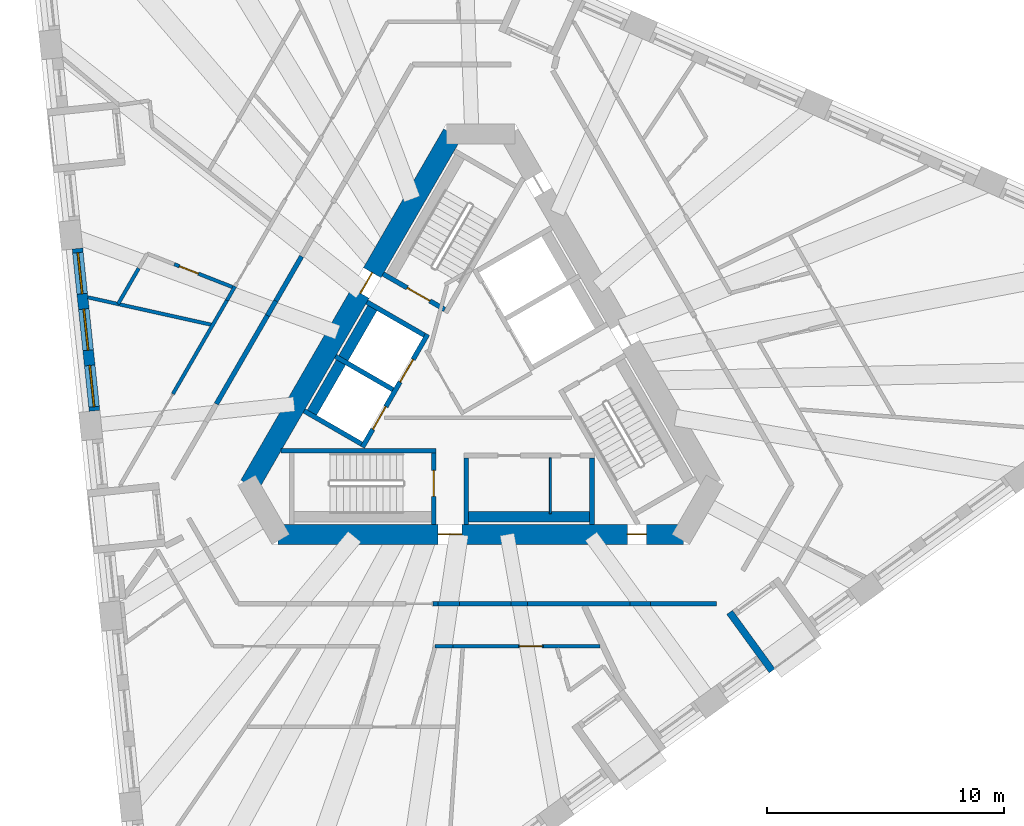
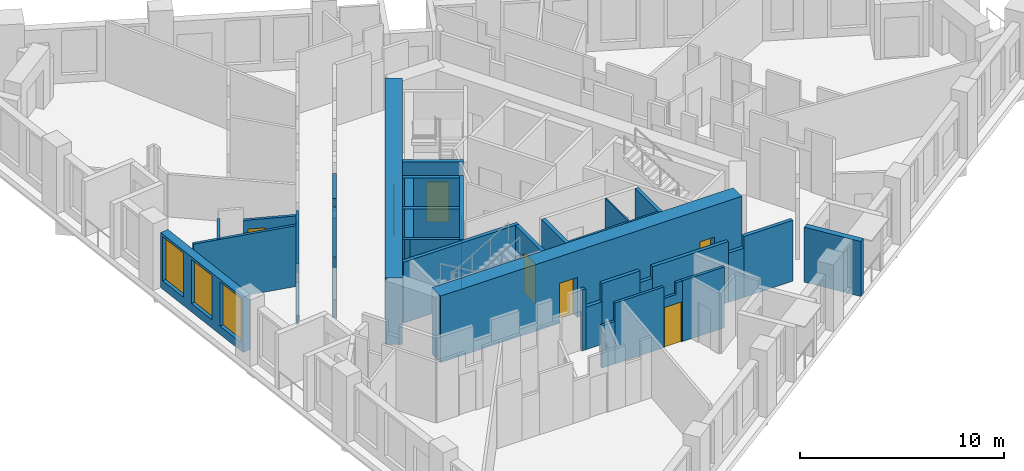
# One storey, part 4 of 14: 35 walls, 9 doors, 3 windows, 12 openings.
"""IFC4 building model written with IfcOpenShell, lengths in metres."""

from ifc_helpers import new_model, si_unit, direction, frame, frame_2d, origin, place, context, subcontext, project, spatial, polyline, rectangle, outline, extrude, material, layer, layer_set, type_object, element, fill, save


model = new_model("IFC4")

# Units and contexts
model_context = context("Model", 3, precision=1e-05, world=origin(), true_north=direction((0.0, 1.0)))
body_context = subcontext(model_context, "Body", "Model", "MODEL_VIEW")
ifc_project = project(units=[si_unit("LENGTHUNIT", "METRE"), si_unit("AREAUNIT", "SQUARE_METRE"), si_unit("VOLUMEUNIT", "CUBIC_METRE"), si_unit("PLANEANGLEUNIT", "RADIAN"), si_unit("MASSUNIT", "GRAM", prefix="KILO")], contexts=[model_context])

# Site, building, storey
site_placement = place(None, origin())
site = spatial("IfcSite", under=ifc_project, at=site_placement, CompositionType="ELEMENT")
building_placement = place(site_placement, origin())
building = spatial("IfcBuilding", under=site, at=building_placement, Name="Tramontana Tower", CompositionType="ELEMENT")
storey_placement = place(building_placement, frame((0.0, 0.0, 182.800048828125)))
storey = spatial("IfcBuildingStorey", under=building, at=storey_placement, Name="L42", CompositionType="ELEMENT", Elevation=182.800048828125)

# Wall, opening, door
ifc_material_1 = material(Name="Concrete 70 MPa", Category="concrete")
ifc_layer_1 = layer(ifc_material_1, 0.85009765625)
ifc_layer_set_1 = layer_set([ifc_layer_1], Name="Core wall 850 70 MPa")
wall_type_1 = type_object("IfcWallType", Name="Core wall 850 70 MPa", PredefinedType="SHEAR", material=ifc_layer_set_1)
wall_1_placement = place(storey_placement, frame((-1.197998046875, 10.574951171875, 0.0), z_axis=(0.0, 0.0, 1.0), x_axis=(-0.499995289315, -0.866028123483, 0.0)))
wall_1 = element("IfcWall", 1, at=wall_1_placement, inside=storey, type_object=wall_type_1, Name="Core wall C1 L42", PredefinedType="SHEAR", context=body_context, shape_type="SweptSolid", body=[
    extrude(rectangle(XDim=17.118408203125, YDim=0.85009765625, at=frame_2d((8.55908203125, 0.0))), origin(), (0.0, 0.0, 1.0), 4.0),
])
opening_1_placement = place(wall_1_placement, frame((6.76416015625, 0.0, 0.0)))
opening_1 = element("IfcOpeningElement", 2, at=opening_1_placement, cuts=wall_1, Name="Opening RG1", PredefinedType="OPENING", context=body_context, shape_type="SweptSolid", body=[
    extrude(rectangle(XDim=1.0, YDim=2.39990234375, at=frame_2d((0.5, 1.199951171875))), frame((0.0, 0.43505859375, 0.0), z_axis=(0.0, -1.0, 0.0), x_axis=(1.0, 0.0, 0.0)), (0.0, 0.0, 1.0), 0.8701171875),
])
ifc_material_2 = material(Name="Painted steel", Category="steel")
door_type_1 = type_object("IfcDoorType", Name="RING DOOR 1000", OperationType="SINGLE_SWING_LEFT", PredefinedType="DOOR", material=ifc_material_2)
door_1_placement = place(opening_1_placement, origin())
door_1 = element("IfcDoor", 3, at=door_1_placement, inside=storey, type_object=door_type_1, Name="Door RG1", OperationType="SINGLE_SWING_RIGHT", OverallHeight=2.39990234375, OverallWidth=1.0, PredefinedType="DOOR", context=body_context, shape_type="SweptSolid", body=[
    extrude(rectangle(XDim=1.0, YDim=2.39990234375, at=frame_2d((0.5, 1.199951171875))), frame((0.0, 0.02490234375, 0.0), z_axis=(0.0, -1.0, 0.0), x_axis=(1.0, 0.0, 0.0)), (0.0, 0.0, 1.0), 0.050048828125),
])
fill(opening_1, door_1)

# Wall, openings, doors
wall_2_placement = place(storey_placement, frame((-8.55908203125, -6.324951171875, 0.0), z_axis=(0.0, 0.0, 1.0), x_axis=(1.0, 0.0, 0.0)))
wall_2 = element("IfcWall", 4, at=wall_2_placement, inside=storey, type_object=wall_type_1, Name="Core wall C3 L42", PredefinedType="SHEAR", context=body_context, shape_type="SweptSolid", body=[
    extrude(rectangle(XDim=17.1181640625, YDim=0.85009765625, at=frame_2d((8.55908203125, 0.0))), origin(), (0.0, 0.0, 1.0), 4.0),
])
opening_2_placement = place(wall_2_placement, frame((6.76416015625, 0.0, 0.0)))
opening_2 = element("IfcOpeningElement", 5, at=opening_2_placement, cuts=wall_2, Name="Opening RG2", PredefinedType="OPENING", context=body_context, shape_type="SweptSolid", body=[
    extrude(rectangle(XDim=1.0, YDim=2.39990234375, at=frame_2d((0.5, 1.199951171875))), frame((0.0, 0.43505859375, 0.0), z_axis=(0.0, -1.0, 0.0), x_axis=(1.0, 0.0, 0.0)), (0.0, 0.0, 1.0), 0.8701171875),
])
opening_3_placement = place(wall_2_placement, frame((14.7421875, 0.0, 0.0)))
opening_3 = element("IfcOpeningElement", 6, at=opening_3_placement, cuts=wall_2, Name="Opening PD2", PredefinedType="OPENING", context=body_context, shape_type="SweptSolid", body=[
    extrude(rectangle(XDim=0.800048828125, YDim=2.10009765625, at=frame_2d((0.39990234375, 1.050048828125))), frame((0.0, 0.43505859375, 0.0), z_axis=(0.0, -1.0, 0.0), x_axis=(1.0, 0.0, 0.0)), (0.0, 0.0, 1.0), 0.8701171875),
])
ifc_material_3 = material(Name="Painted steel", Category="steel")
door_type_2 = type_object("IfcDoorType", Name="CUPBOARD DOOR 800", OperationType="SINGLE_SWING_LEFT", PredefinedType="DOOR", material=ifc_material_3)
door_2_placement = place(opening_3_placement, origin())
door_2 = element("IfcDoor", 7, at=door_2_placement, inside=storey, type_object=door_type_2, Name="Door PD2", OperationType="SINGLE_SWING_LEFT", OverallHeight=2.10009765625, OverallWidth=0.800048828125, PredefinedType="DOOR", context=body_context, shape_type="SweptSolid", body=[
    extrude(rectangle(XDim=0.800048828125, YDim=2.10009765625, at=frame_2d((0.39990234375, 1.050048828125))), frame((0.0, 0.02490234375, 0.0), z_axis=(0.0, -1.0, 0.0), x_axis=(1.0, 0.0, 0.0)), (0.0, 0.0, 1.0), 0.050048828125),
])
fill(opening_3, door_2)
door_3_placement = place(opening_2_placement, origin())
door_3 = element("IfcDoor", 8, at=door_3_placement, inside=storey, type_object=door_type_1, Name="Door RG2", OperationType="SINGLE_SWING_LEFT", OverallHeight=2.39990234375, OverallWidth=1.0, PredefinedType="DOOR", context=body_context, shape_type="SweptSolid", body=[
    extrude(rectangle(XDim=1.0, YDim=2.39990234375, at=frame_2d((0.5, 1.199951171875))), frame((0.0, 0.02490234375, 0.0), z_axis=(0.0, -1.0, 0.0), x_axis=(1.0, 0.0, 0.0)), (0.0, 0.0, 1.0), 0.050048828125),
])
fill(opening_2, door_3)

# Walls
ifc_material_4 = material(Name="Blockwork", Category="masonry")
ifc_layer_2 = layer(ifc_material_4, 0.199951171875)
ifc_layer_set_2 = layer_set([ifc_layer_2], Name="ENTRY WALL 200")
wall_type_2 = type_object("IfcWallType", Name="ENTRY WALL 200", PredefinedType="SOLIDWALL", material=ifc_layer_set_2)
wall_3_placement = place(storey_placement, frame((9.95166015625, -9.25, 0.0), z_axis=(0.0, 0.0, 1.0), x_axis=(-1.0, 0.0, 0.0)))
element("IfcWall", 9, at=wall_3_placement, inside=storey, type_object=wall_type_2, Name="Wall v41-ew2-0", PredefinedType="SOLIDWALL", context=body_context, shape_type="SweptSolid", body=[
    extrude(rectangle(XDim=2.798583984375, YDim=0.199951171875, at=frame_2d((1.3994140625, 0.0))), origin(), (0.0, 0.0, 1.0), 3.64990234375),
])
wall_4_placement = place(storey_placement, frame((7.153076171875, -9.25, 0.0), z_axis=(0.0, 0.0, 1.0), x_axis=(-1.0, 0.0, 0.0)))
element("IfcWall", 10, at=wall_4_placement, inside=storey, type_object=wall_type_2, Name="Wall v41-ew2-1", PredefinedType="SOLIDWALL", context=body_context, shape_type="SweptSolid", body=[
    extrude(rectangle(XDim=0.865234375, YDim=0.199951171875, at=frame_2d((0.4326171875, 0.0))), origin(), (0.0, 0.0, 1.0), 2.949951171875),
])
wall_5_placement = place(storey_placement, frame((6.287841796875, -9.25, 0.0), z_axis=(0.0, 0.0, 1.0), x_axis=(-1.0, 0.0, 0.0)))
element("IfcWall", 11, at=wall_5_placement, inside=storey, type_object=wall_type_2, Name="Wall v41-ew2-2", PredefinedType="SOLIDWALL", context=body_context, shape_type="SweptSolid", body=[
    extrude(rectangle(XDim=4.306640625, YDim=0.199951171875, at=frame_2d((2.1533203125, 0.0))), origin(), (0.0, 0.0, 1.0), 3.64990234375),
])
wall_6_placement = place(storey_placement, frame((1.981201171875, -9.25, 0.0), z_axis=(0.0, 0.0, 1.0), x_axis=(-1.0, 0.0, 0.0)))
element("IfcWall", 12, at=wall_6_placement, inside=storey, type_object=wall_type_2, Name="Wall v41-ew2-3", PredefinedType="SOLIDWALL", context=body_context, shape_type="SweptSolid", body=[
    extrude(rectangle(XDim=0.710693359375, YDim=0.199951171875, at=frame_2d((0.35546875, 0.0))), origin(), (0.0, 0.0, 1.0), 2.949951171875),
])
wall_7_placement = place(storey_placement, frame((1.2705078125, -9.25, 0.0), z_axis=(0.0, 0.0, 1.0), x_axis=(-1.0, 0.0, 0.0)))
element("IfcWall", 13, at=wall_7_placement, inside=storey, type_object=wall_type_2, Name="Wall v41-ew2-4", PredefinedType="SOLIDWALL", context=body_context, shape_type="SweptSolid", body=[
    extrude(rectangle(XDim=2.169677734375, YDim=0.199951171875, at=frame_2d((1.0849609375, 0.0))), origin(), (0.0, 0.0, 1.0), 3.64990234375),
])
wall_8_placement = place(storey_placement, frame((-0.899169921875, -9.25, 0.0), z_axis=(0.0, 0.0, 1.0), x_axis=(-1.0, 0.0, 0.0)))
element("IfcWall", 14, at=wall_8_placement, inside=storey, type_object=wall_type_2, Name="Wall v41-ew2-5", PredefinedType="SOLIDWALL", context=body_context, shape_type="SweptSolid", body=[
    extrude(rectangle(XDim=0.909423828125, YDim=0.199951171875, at=frame_2d((0.45458984375, 0.0))), origin(), (0.0, 0.0, 1.0), 2.550048828125),
])
wall_9_placement = place(storey_placement, frame((-1.80859375, -9.25, 0.0), z_axis=(0.0, 0.0, 1.0), x_axis=(-1.0, 0.0, 0.0)))
element("IfcWall", 15, at=wall_9_placement, inside=storey, type_object=wall_type_2, Name="Wall v41-ew2-6", PredefinedType="SOLIDWALL", context=body_context, shape_type="SweptSolid", body=[
    extrude(rectangle(XDim=0.200439453125, YDim=0.199951171875, at=frame_2d((0.10009765625, 0.0))), origin(), (0.0, 0.0, 1.0), 3.64990234375),
])
wall_10_placement = place(storey_placement, frame((-11.15478515625, -0.820556640625, 0.0), z_axis=(0.0, 0.0, 1.0), x_axis=(0.499992344383, 0.866029823712, 0.0)))
element("IfcWall", 16, at=wall_10_placement, inside=storey, type_object=wall_type_2, Name="Wall v41-ew4-2", PredefinedType="SOLIDWALL", context=body_context, shape_type="SweptSolid", body=[
    extrude(rectangle(XDim=4.306640625, YDim=0.199951171875, at=frame_2d((2.1533203125, 0.0))), origin(), (0.0, 0.0, 1.0), 3.64990234375),
])
wall_11_placement = place(storey_placement, frame((-9.00146484375, 2.9091796875, 0.0), z_axis=(0.0, 0.0, 1.0), x_axis=(0.50012879774, 0.865951029603, 0.0)))
element("IfcWall", 17, at=wall_11_placement, inside=storey, type_object=wall_type_2, Name="Wall v41-ew4-3", PredefinedType="SOLIDWALL", context=body_context, shape_type="SweptSolid", body=[
    extrude(rectangle(XDim=0.710693359375, YDim=0.199951171875, at=frame_2d((0.35546875, 0.0))), origin(), (0.0, 0.0, 1.0), 2.949951171875),
])
wall_12_placement = place(storey_placement, frame((-8.64599609375, 3.524658203125, 0.0), z_axis=(0.0, 0.0, 1.0), x_axis=(0.499975720793, 0.866039420937, 0.0)))
element("IfcWall", 18, at=wall_12_placement, inside=storey, type_object=wall_type_2, Name="Wall v41-ew4-4", PredefinedType="SOLIDWALL", context=body_context, shape_type="SweptSolid", body=[
    extrude(rectangle(XDim=2.16943359375, YDim=0.199951171875, at=frame_2d((1.084716796875, 0.0))), origin(), (0.0, 0.0, 1.0), 3.64990234375),
])

# Wall, openings, windows
ifc_material_5 = material(Name="Precast concrete 60 MPa", Category="concrete")
ifc_layer_3 = layer(ifc_material_5, 0.449951171875)
ifc_layer_set_3 = layer_set([ifc_layer_3], Name="Precast concrete 60 MPa, 450 mm")
wall_type_3 = type_object("IfcWallType", Name="EW1 Stone-faced precast wall 450", PredefinedType="SOLIDWALL", material=ifc_layer_set_3)
wall_13_placement = place(storey_placement, frame((-17.017822265625, 5.735595703125, 0.0), z_axis=(0.0, 0.0, 1.0), x_axis=(0.104531531326, -0.994521572898, 0.0)))
wall_13 = element("IfcWall", 19, at=wall_13_placement, inside=storey, type_object=wall_type_3, Name="External wall L42 face 0 bay 3", PredefinedType="SOLIDWALL", context=body_context, shape_type="SweptSolid", body=[
    extrude(rectangle(XDim=6.8828125, YDim=0.449951171875, at=frame_2d((3.44140625, 0.0))), origin(), (0.0, 0.0, 1.0), 3.300048828125),
])
opening_4_placement = place(wall_13_placement, frame((0.172119140625, 0.0, 0.5)))
opening_4 = element("IfcOpeningElement", 20, at=opening_4_placement, cuts=wall_13, Name="Opening M2", PredefinedType="OPENING", context=body_context, shape_type="SweptSolid", body=[
    extrude(rectangle(XDim=1.75, YDim=2.64990234375, at=frame_2d((0.875, 1.324951171875))), frame((0.0, 0.23486328125, 0.0), z_axis=(0.0, -1.0, 0.0), x_axis=(1.0, 0.0, 0.0)), (0.0, 0.0, 1.0), 0.469970703125),
])
opening_5_placement = place(wall_13_placement, frame((2.56640625, 0.0, 0.5)))
opening_5 = element("IfcOpeningElement", 21, at=opening_5_placement, cuts=wall_13, Name="Opening M2", PredefinedType="OPENING", context=body_context, shape_type="SweptSolid", body=[
    extrude(rectangle(XDim=1.75, YDim=2.64990234375, at=frame_2d((0.875, 1.324951171875))), frame((0.0, 0.23486328125, 0.0), z_axis=(0.0, -1.0, 0.0), x_axis=(1.0, 0.0, 0.0)), (0.0, 0.0, 1.0), 0.469970703125),
])
opening_6_placement = place(wall_13_placement, frame((4.960693359375, 0.0, 0.5)))
opening_6 = element("IfcOpeningElement", 22, at=opening_6_placement, cuts=wall_13, Name="Opening M2", PredefinedType="OPENING", context=body_context, shape_type="SweptSolid", body=[
    extrude(rectangle(XDim=1.75, YDim=2.64990234375, at=frame_2d((0.875, 1.324951171875))), frame((0.0, 0.23486328125, 0.0), z_axis=(0.0, -1.0, 0.0), x_axis=(1.0, 0.0, 0.0)), (0.0, 0.0, 1.0), 0.469970703125),
])
ifc_material_6 = material(Name="Aluminum frame, double glazing unit", Category="aluminium")
window_type = type_object("IfcWindowType", Name="M2 Window 1.75 x 2.65", PartitioningType="SINGLE_PANEL", PredefinedType="WINDOW", material=ifc_material_6)
window_1_placement = place(opening_4_placement, origin())
window_1 = element("IfcWindow", 23, at=window_1_placement, inside=storey, type_object=window_type, Name="Window M2 L42 face 0 module 7", OverallHeight=2.64990234375, OverallWidth=1.75, PartitioningType="SINGLE_PANEL", PredefinedType="WINDOW", context=body_context, shape_type="SweptSolid", body=[
    extrude(rectangle(XDim=1.75, YDim=2.64990234375, at=frame_2d((0.875, 1.324951171875))), frame((0.0, 0.030029296875, 0.0), z_axis=(0.0, -1.0, 0.0), x_axis=(1.0, 0.0, 0.0)), (0.0, 0.0, 1.0), 0.06005859375),
])
fill(opening_4, window_1)
window_2_placement = place(opening_5_placement, origin())
window_2 = element("IfcWindow", 24, at=window_2_placement, inside=storey, type_object=window_type, Name="Window M2 L42 face 0 module 8", OverallHeight=2.64990234375, OverallWidth=1.75, PartitioningType="SINGLE_PANEL", PredefinedType="WINDOW", context=body_context, shape_type="SweptSolid", body=[
    extrude(rectangle(XDim=1.75, YDim=2.64990234375, at=frame_2d((0.875, 1.324951171875))), frame((0.0, 0.030029296875, 0.0), z_axis=(0.0, -1.0, 0.0), x_axis=(1.0, 0.0, 0.0)), (0.0, 0.0, 1.0), 0.06005859375),
])
fill(opening_5, window_2)
window_3_placement = place(opening_6_placement, origin())
window_3 = element("IfcWindow", 25, at=window_3_placement, inside=storey, type_object=window_type, Name="Window M2 L42 face 0 module 9", OverallHeight=2.64990234375, OverallWidth=1.75, PartitioningType="SINGLE_PANEL", PredefinedType="WINDOW", context=body_context, shape_type="SweptSolid", body=[
    extrude(rectangle(XDim=1.75, YDim=2.64990234375, at=frame_2d((0.875, 1.324951171875))), frame((0.0, 0.030029296875, 0.0), z_axis=(0.0, -1.0, 0.0), x_axis=(1.0, 0.0, 0.0)), (0.0, 0.0, 1.0), 0.06005859375),
])
fill(opening_6, window_3)

# Walls
ifc_material_7 = material(Name="Precast concrete 60 MPa", Category="concrete")
ifc_layer_4 = layer(ifc_material_7, 0.300048828125)
ifc_layer_set_4 = layer_set([ifc_layer_4], Name="LW1 Stone-faced loggia wall 300")
wall_type_4 = type_object("IfcWallType", Name="LW1 Stone-faced loggia wall 300", PredefinedType="SOLIDWALL", material=ifc_layer_set_4)
wall_14_placement = place(storey_placement, frame((12.29345703125, -12.08154296875, 0.0), z_axis=(0.0, 0.0, 1.0), x_axis=(-0.587776590479, 0.80902328748, 0.0)))
element("IfcWall", 26, at=wall_14_placement, inside=storey, type_object=wall_type_4, Name="Loggia return L42 G4S1.10a", PredefinedType="SOLIDWALL", context=body_context, shape_type="SweptSolid", body=[
    extrude(rectangle(XDim=3.050048828125, YDim=0.300048828125, at=frame_2d((1.52490234375, 0.0))), origin(), (0.0, 0.0, 1.0), 3.300048828125),
])
ifc_material_8 = material(Name="Gypsum board partition")
ifc_layer_5 = layer(ifc_material_8, 0.14990234375)
ifc_layer_set_5 = layer_set([ifc_layer_5], Name="PARTITION 150")
wall_type_5 = type_object("IfcWallType", Name="PARTITION 150", PredefinedType="PARTITIONING", material=ifc_layer_set_5)
wall_15_placement = place(storey_placement, frame((-15.3017578125, 3.396484375, 0.0), z_axis=(0.0, 0.0, 1.0), x_axis=(0.499989842173, 0.866031268329, 0.0)))
element("IfcWall", 27, at=wall_15_placement, inside=storey, type_object=wall_type_5, Name="Wall v41-pw00-0", PredefinedType="PARTITIONING", context=body_context, shape_type="SweptSolid", body=[
    extrude(rectangle(XDim=1.73876953125, YDim=0.14990234375, at=frame_2d((0.869384765625, 0.0))), origin(), (0.0, 0.0, 1.0), 3.64990234375),
])
wall_16_placement = place(storey_placement, frame((-12.98876953125, -0.3974609375, 0.0), z_axis=(0.0, 0.0, 1.0), x_axis=(0.499962245075, 0.866047200503, 0.0)))
element("IfcWall", 28, at=wall_16_placement, inside=storey, type_object=wall_type_5, Name="Wall v41-pw02-2", PredefinedType="PARTITIONING", context=body_context, shape_type="SweptSolid", body=[
    extrude(rectangle(XDim=4.553466796875, YDim=0.14990234375, at=frame_2d((2.27685546875, 0.0))), origin(), (0.0, 0.0, 1.0), 3.64990234375),
])
wall_17_placement = place(storey_placement, frame((-10.712158203125, 3.546142578125, 0.0), z_axis=(0.0, 0.0, 1.0), x_axis=(0.50012328804, 0.865954211699, 0.0)))
element("IfcWall", 29, at=wall_17_placement, inside=storey, type_object=wall_type_5, Name="Wall v41-pw02-3", PredefinedType="PARTITIONING", context=body_context, shape_type="SweptSolid", body=[
    extrude(rectangle(XDim=0.685302734375, YDim=0.14990234375, at=frame_2d((0.3427734375, 0.0))), origin(), (0.0, 0.0, 1.0), 2.949951171875),
])

# Wall, opening, door
wall_18_placement = place(storey_placement, frame((-10.4736328125, 4.109375, 0.0), z_axis=(0.0, 0.0, 1.0), x_axis=(-0.930912162403, 0.365243132571, 0.0)))
wall_18 = element("IfcWall", 30, at=wall_18_placement, inside=storey, type_object=wall_type_5, Name="Wall v41-pw08-1", PredefinedType="PARTITIONING", context=body_context, shape_type="SweptSolid", body=[
    extrude(rectangle(XDim=2.6396484375, YDim=0.14990234375, at=frame_2d((1.31982421875, 0.0))), origin(), (0.0, 0.0, 1.0), 2.949951171875),
])
opening_7_placement = place(wall_18_placement, frame((1.55224609375, 0.0, 0.0)))
opening_7 = element("IfcOpeningElement", 31, at=opening_7_placement, cuts=wall_18, Name="Opening B4B-07", PredefinedType="OPENING", context=body_context, shape_type="SweptSolid", body=[
    extrude(rectangle(XDim=0.85009765625, YDim=2.39990234375, at=frame_2d((0.425048828125, 1.199951171875))), frame((0.0, 0.0849609375, 0.0), z_axis=(0.0, -1.0, 0.0), x_axis=(1.0, 0.0, 0.0)), (0.0, 0.0, 1.0), 0.169921875),
])
ifc_material_9 = material(Name="Painted timber", Category="wood")
door_type_3 = type_object("IfcDoorType", Name="DOOR BATH 850", OperationType="SINGLE_SWING_LEFT", PredefinedType="DOOR", material=ifc_material_9)
door_4_placement = place(opening_7_placement, origin())
door_4 = element("IfcDoor", 32, at=door_4_placement, inside=storey, type_object=door_type_3, Name="Door B4B-07", OperationType="SINGLE_SWING_LEFT", OverallHeight=2.39990234375, OverallWidth=0.85009765625, PredefinedType="DOOR", context=body_context, shape_type="SweptSolid", body=[
    extrude(rectangle(XDim=0.85009765625, YDim=2.39990234375, at=frame_2d((0.425048828125, 1.199951171875))), frame((0.0, 0.02490234375, 0.0), z_axis=(0.0, -1.0, 0.0), x_axis=(1.0, 0.0, 0.0)), (0.0, 0.0, 1.0), 0.050048828125),
])
fill(opening_7, door_4)

# Walls
wall_19_placement = place(storey_placement, frame((-11.3125, 2.509033203125, 0.0), z_axis=(0.0, 0.0, 1.0), x_axis=(-0.976273304497, 0.216541993449, 0.0)))
element("IfcWall", 33, at=wall_19_placement, inside=storey, type_object=wall_type_5, Name="Wall v41-pw16", PredefinedType="PARTITIONING", context=body_context, shape_type="SweptSolid", body=[
    extrude(rectangle(XDim=5.390380859375, YDim=0.14990234375, at=frame_2d((2.6953125, 0.0))), origin(), (0.0, 0.0, 1.0), 3.64990234375),
])
wall_20_placement = place(storey_placement, frame((5.03076171875, -11.050048828125, 0.0), z_axis=(0.0, 0.0, 1.0), x_axis=(-1.0, 0.0, 0.0)))
element("IfcWall", 34, at=wall_20_placement, inside=storey, type_object=wall_type_5, Name="Wall v41-pw35-0", PredefinedType="PARTITIONING", context=body_context, shape_type="SweptSolid", body=[
    extrude(rectangle(XDim=2.390625, YDim=0.14990234375, at=frame_2d((1.1953125, 0.0))), origin(), (0.0, 0.0, 1.0), 3.64990234375),
])

# Wall, opening, door
wall_21_placement = place(storey_placement, frame((2.64013671875, -11.050048828125, 0.0), z_axis=(0.0, 0.0, 1.0), x_axis=(-1.0, 0.0, 0.0)))
wall_21 = element("IfcWall", 35, at=wall_21_placement, inside=storey, type_object=wall_type_5, Name="Wall v41-pw35-1", PredefinedType="PARTITIONING", context=body_context, shape_type="SweptSolid", body=[
    extrude(outline(polyline([(0.0, 0.0), (1.0498046875, 0.0), (1.050048828125, 2.949951171875), (0.355224609375, 2.949951171875), (0.355224609375, 3.64990234375), (0.0, 3.64990234375), (0.0, 0.0)])), frame((0.0, 0.074951171875, 0.0), z_axis=(0.0, -1.0, 0.0), x_axis=(1.0, 0.0, 0.0)), (0.0, 0.0, 1.0), 0.14990234375),
])
opening_8_placement = place(wall_21_placement, frame((0.050048828125, 0.0, 0.0)))
opening_8 = element("IfcOpeningElement", 36, at=opening_8_placement, cuts=wall_21, Name="Opening B4B-12", PredefinedType="OPENING", context=body_context, shape_type="SweptSolid", body=[
    extrude(rectangle(XDim=0.949951171875, YDim=2.39990234375, at=frame_2d((0.47509765625, 1.199951171875))), frame((0.0, 0.0849609375, 0.0), z_axis=(0.0, -1.0, 0.0), x_axis=(1.0, 0.0, 0.0)), (0.0, 0.0, 1.0), 0.169921875),
])
ifc_material_10 = material(Name="Painted timber", Category="wood")
door_type_4 = type_object("IfcDoorType", Name="DOOR ROOM 950", OperationType="SINGLE_SWING_LEFT", PredefinedType="DOOR", material=ifc_material_10)
door_5_placement = place(opening_8_placement, origin())
door_5 = element("IfcDoor", 37, at=door_5_placement, inside=storey, type_object=door_type_4, Name="Door B4B-12", OperationType="SINGLE_SWING_RIGHT", OverallHeight=2.39990234375, OverallWidth=0.949951171875, PredefinedType="DOOR", context=body_context, shape_type="SweptSolid", body=[
    extrude(rectangle(XDim=0.949951171875, YDim=2.39990234375, at=frame_2d((0.47509765625, 1.199951171875))), frame((0.0, 0.02490234375, 0.0), z_axis=(0.0, -1.0, 0.0), x_axis=(1.0, 0.0, 0.0)), (0.0, 0.0, 1.0), 0.050048828125),
])
fill(opening_8, door_5)

# Walls
wall_22_placement = place(storey_placement, frame((1.59033203125, -11.050048828125, 0.0), z_axis=(0.0, 0.0, 1.0), x_axis=(-1.0, 0.0, 0.0)))
element("IfcWall", 38, at=wall_22_placement, inside=storey, type_object=wall_type_5, Name="Wall v41-pw35-2", PredefinedType="PARTITIONING", context=body_context, shape_type="SweptSolid", body=[
    extrude(rectangle(XDim=2.765625, YDim=0.14990234375, at=frame_2d((1.3828125, 0.0))), origin(), (0.0, 0.0, 1.0), 3.64990234375),
])
wall_23_placement = place(storey_placement, frame((-1.17529296875, -11.050048828125, 0.0), z_axis=(0.0, 0.0, 1.0), x_axis=(-1.0, 0.0, 0.0)))
element("IfcWall", 39, at=wall_23_placement, inside=storey, type_object=wall_type_5, Name="Wall v41-pw35-3", PredefinedType="PARTITIONING", context=body_context, shape_type="SweptSolid", body=[
    extrude(rectangle(XDim=0.74658203125, YDim=0.14990234375, at=frame_2d((0.373291015625, 0.0))), origin(), (0.0, 0.0, 1.0), 2.550048828125),
])
ifc_material_11 = material(Name="Gypsum board partition")
ifc_layer_6 = layer(ifc_material_11, 0.080078125)
ifc_layer_set_6 = layer_set([ifc_layer_6], Name="PARTITION 80")
wall_type_6 = type_object("IfcWallType", Name="PARTITION 80", PredefinedType="PARTITIONING", material=ifc_layer_set_6)
wall_24_placement = place(storey_placement, frame((2.93994140625, -3.10009765625, 0.0), z_axis=(0.0, 0.0, 1.0), x_axis=(0.0, -1.0, 0.0)))
element("IfcWall", 40, at=wall_24_placement, inside=storey, type_object=wall_type_6, Name="Wall row1-split", PredefinedType="PARTITIONING", context=body_context, shape_type="SweptSolid", body=[
    extrude(rectangle(XDim=2.349853515625, YDim=0.080078125, at=frame_2d((1.1748046875, 0.0))), origin(), (0.0, 0.0, 1.0), 3.64990234375),
])
ifc_material_12 = material(Name="Concrete 70 MPa", Category="concrete")
ifc_layer_7 = layer(ifc_material_12, 0.449951171875)
ifc_layer_set_7 = layer_set([ifc_layer_7], Name="Concrete 70 MPa, 450 mm")
wall_type_7 = type_object("IfcWallType", Name="RC SHAFT BACK WALL 450", PredefinedType="SOLIDWALL", material=ifc_layer_set_7)
for number, where, z_axis, x_axis, name in (
    (41, (-4.47314453125, 3.40234375, 0.0), (0.0, 0.0, 1.0), (-0.499996545922, -0.866027397988, 0.0), "Wall row0-back"),
    (42, (-0.7099609375, -5.574951171875, 0.0), (0.0, 0.0, 1.0), (1.0, 0.0, 0.0), "Wall row1-back"),
):
    element("IfcWall", number, at=place(storey_placement, frame(where, z_axis=z_axis, x_axis=x_axis)), inside=storey, type_object=wall_type_7, Name=name, PredefinedType="SOLIDWALL", context=body_context, shape_type="SweptSolid", body=[
        extrude(rectangle(XDim=5.5, YDim=0.449951171875, at=frame_2d((2.75, 0.0))), origin(), (0.0, 0.0, 1.0), 3.64990234375),
    ])

# Wall, opening, door
ifc_material_13 = material(Name="Concrete 70 MPa", Category="concrete")
ifc_layer_8 = layer(ifc_material_13, 0.199951171875)
ifc_layer_set_8 = layer_set([ifc_layer_8], Name="Concrete 70 MPa, 200 mm")
wall_type_8 = type_object("IfcWallType", Name="RC STAIR AND SHAFT WALL 200", PredefinedType="SOLIDWALL", material=ifc_layer_set_8)
wall_25_placement = place(storey_placement, frame((-1.521484375, 3.164794921875, 0.0), z_axis=(0.0, 0.0, 1.0), x_axis=(-0.866031096941, 0.499990139034, 0.0)))
wall_25 = element("IfcWall", 43, at=wall_25_placement, inside=storey, type_object=wall_type_8, Name="Wall st1-near", PredefinedType="SOLIDWALL", context=body_context, shape_type="SweptSolid", body=[
    extrude(rectangle(XDim=3.0, YDim=0.199951171875, at=frame_2d((1.5, 0.0))), origin(), (0.0, 0.0, 1.0), 3.64990234375),
])
opening_9_placement = place(wall_25_placement, frame((0.72509765625, 0.0, 0.0)))
opening_9 = element("IfcOpeningElement", 44, at=opening_9_placement, cuts=wall_25, Name="Opening SD1", PredefinedType="OPENING", context=body_context, shape_type="SweptSolid", body=[
    extrude(rectangle(XDim=1.10009765625, YDim=2.39990234375, at=frame_2d((0.550048828125, 1.199951171875))), frame((0.0, 0.10986328125, 0.0), z_axis=(0.0, -1.0, 0.0), x_axis=(1.0, 0.0, 0.0)), (0.0, 0.0, 1.0), 0.219970703125),
])
ifc_material_14 = material(Name="Painted steel", Category="steel")
door_type_5 = type_object("IfcDoorType", Name="STAIR DOOR 1100", OperationType="SINGLE_SWING_LEFT", PredefinedType="DOOR", material=ifc_material_14)
door_6_placement = place(opening_9_placement, origin())
door_6 = element("IfcDoor", 45, at=door_6_placement, inside=storey, type_object=door_type_5, Name="Door SD1", OperationType="SINGLE_SWING_RIGHT", OverallHeight=2.39990234375, OverallWidth=1.10009765625, PredefinedType="DOOR", context=body_context, shape_type="SweptSolid", body=[
    extrude(rectangle(XDim=1.10009765625, YDim=2.39990234375, at=frame_2d((0.550048828125, 1.199951171875))), frame((0.0, 0.02490234375, 0.0), z_axis=(0.0, -1.0, 0.0), x_axis=(1.0, 0.0, 0.0)), (0.0, 0.0, 1.0), 0.050048828125),
])
fill(opening_9, door_6)

# Wall
wall_26_placement = place(storey_placement, frame((-8.42919921875, -2.800048828125, 0.0), z_axis=(0.0, 0.0, 1.0), x_axis=(1.0, 0.0, 0.0)))
element("IfcWall", 46, at=wall_26_placement, inside=storey, type_object=wall_type_8, Name="Wall st2-front", PredefinedType="SOLIDWALL", context=body_context, shape_type="SweptSolid", body=[
    extrude(rectangle(XDim=6.54931640625, YDim=0.199951171875, at=frame_2d((3.274658203125, 0.0))), origin(), (0.0, 0.0, 1.0), 3.64990234375),
])

# Wall, opening, door
wall_27_placement = place(storey_placement, frame((-1.97998046875, -2.89990234375, 0.0), z_axis=(0.0, 0.0, 1.0), x_axis=(0.0, -1.0, 0.0)))
wall_27 = element("IfcWall", 47, at=wall_27_placement, inside=storey, type_object=wall_type_8, Name="Wall st2-near", PredefinedType="SOLIDWALL", context=body_context, shape_type="SweptSolid", body=[
    extrude(rectangle(XDim=3.0, YDim=0.199951171875, at=frame_2d((1.5, 0.0))), origin(), (0.0, 0.0, 1.0), 3.64990234375),
])
opening_10_placement = place(wall_27_placement, frame((0.72509765625, 0.0, 0.0)))
opening_10 = element("IfcOpeningElement", 48, at=opening_10_placement, cuts=wall_27, Name="Opening SD2", PredefinedType="OPENING", context=body_context, shape_type="SweptSolid", body=[
    extrude(rectangle(XDim=1.10009765625, YDim=2.39990234375, at=frame_2d((0.550048828125, 1.199951171875))), frame((0.0, 0.10986328125, 0.0), z_axis=(0.0, -1.0, 0.0), x_axis=(1.0, 0.0, 0.0)), (0.0, 0.0, 1.0), 0.219970703125),
])
door_7_placement = place(opening_10_placement, origin())
door_7 = element("IfcDoor", 49, at=door_7_placement, inside=storey, type_object=door_type_5, Name="Door SD2", OperationType="SINGLE_SWING_LEFT", OverallHeight=2.39990234375, OverallWidth=1.10009765625, PredefinedType="DOOR", context=body_context, shape_type="SweptSolid", body=[
    extrude(rectangle(XDim=1.10009765625, YDim=2.39990234375, at=frame_2d((0.550048828125, 1.199951171875))), frame((0.0, 0.02490234375, 0.0), z_axis=(0.0, -1.0, 0.0), x_axis=(1.0, 0.0, 0.0)), (0.0, 0.0, 1.0), 0.050048828125),
])
fill(opening_10, door_7)

# Wall, openings, doors
wall_28_placement = place(storey_placement, frame((-2.2431640625, 2.114990234375, 0.0), z_axis=(0.0, 0.0, 1.0), x_axis=(-0.499996545922, -0.866027397988, 0.0)))
wall_28 = element("IfcWall", 50, at=wall_28_placement, inside=storey, type_object=wall_type_8, Name="Wall row0-front", PredefinedType="SOLIDWALL", context=body_context, shape_type="SweptSolid", body=[
    extrude(rectangle(XDim=5.5, YDim=0.199951171875, at=frame_2d((2.75, 0.0))), origin(), (0.0, 0.0, 1.0), 3.64990234375),
])
opening_11_placement = place(wall_28_placement, frame((1.219970703125, 0.0, 0.0)))
opening_11 = element("IfcOpeningElement", 51, at=opening_11_placement, cuts=wall_28, Name="Opening LD-P1", PredefinedType="OPENING", context=body_context, shape_type="SweptSolid", body=[
    extrude(rectangle(XDim=1.10009765625, YDim=2.10009765625, at=frame_2d((0.550048828125, 1.050048828125))), frame((0.0, 0.10986328125, 0.0), z_axis=(0.0, -1.0, 0.0), x_axis=(1.0, 0.0, 0.0)), (0.0, 0.0, 1.0), 0.219970703125),
])
opening_12_placement = place(wall_28_placement, frame((3.52490234375, 0.0, 0.0)))
opening_12 = element("IfcOpeningElement", 52, at=opening_12_placement, cuts=wall_28, Name="Opening LD-P2", PredefinedType="OPENING", context=body_context, shape_type="SweptSolid", body=[
    extrude(rectangle(XDim=1.10009765625, YDim=2.10009765625, at=frame_2d((0.550048828125, 1.050048828125))), frame((0.0, 0.10986328125, 0.0), z_axis=(0.0, -1.0, 0.0), x_axis=(1.0, 0.0, 0.0)), (0.0, 0.0, 1.0), 0.219970703125),
])
ifc_material_15 = material(Name="Brushed steel", Category="steel")
door_type_6 = type_object("IfcDoorType", Name="LANDING DOOR 1100", OperationType="SINGLE_SWING_LEFT", PredefinedType="DOOR", material=ifc_material_15)
door_8_placement = place(opening_11_placement, origin())
door_8 = element("IfcDoor", 53, at=door_8_placement, inside=storey, type_object=door_type_6, Name="Door LD-P1", OperationType="SLIDING_TO_LEFT", OverallHeight=2.10009765625, OverallWidth=1.10009765625, PredefinedType="DOOR", context=body_context, shape_type="SweptSolid", body=[
    extrude(rectangle(XDim=1.10009765625, YDim=2.10009765625, at=frame_2d((0.550048828125, 1.050048828125))), frame((0.0, 0.02490234375, 0.0), z_axis=(0.0, -1.0, 0.0), x_axis=(1.0, 0.0, 0.0)), (0.0, 0.0, 1.0), 0.050048828125),
])
fill(opening_11, door_8)
door_9_placement = place(opening_12_placement, origin())
door_9 = element("IfcDoor", 54, at=door_9_placement, inside=storey, type_object=door_type_6, Name="Door LD-P2", OperationType="SLIDING_TO_RIGHT", OverallHeight=2.10009765625, OverallWidth=1.10009765625, PredefinedType="DOOR", context=body_context, shape_type="SweptSolid", body=[
    extrude(rectangle(XDim=1.10009765625, YDim=2.10009765625, at=frame_2d((0.550048828125, 1.050048828125))), frame((0.0, 0.02490234375, 0.0), z_axis=(0.0, -1.0, 0.0), x_axis=(1.0, 0.0, 0.0)), (0.0, 0.0, 1.0), 0.050048828125),
])
fill(opening_12, door_9)

# Walls
wall_29_placement = place(storey_placement, frame((-2.379638671875, 2.078369140625, 0.0), z_axis=(0.0, 0.0, 1.0), x_axis=(-0.866034573852, 0.49998411664, 0.0)))
element("IfcWall", 55, at=wall_29_placement, inside=storey, type_object=wall_type_8, Name="Wall row0-side0", PredefinedType="SOLIDWALL", context=body_context, shape_type="SweptSolid", body=[
    extrude(rectangle(XDim=2.7998046875, YDim=0.199951171875, at=frame_2d((1.39990234375, 0.0))), origin(), (0.0, 0.0, 1.0), 3.64990234375),
])
wall_30_placement = place(storey_placement, frame((-3.70458984375, -0.216796875, 0.0), z_axis=(0.0, 0.0, 1.0), x_axis=(-0.866018616679, 0.500011755427, 0.0)))
element("IfcWall", 56, at=wall_30_placement, inside=storey, type_object=wall_type_8, Name="Wall row0-side1", PredefinedType="SOLIDWALL", context=body_context, shape_type="SweptSolid", body=[
    extrude(rectangle(XDim=2.80029296875, YDim=0.199951171875, at=frame_2d((1.400146484375, 0.0))), origin(), (0.0, 0.0, 1.0), 3.64990234375),
])
wall_31_placement = place(storey_placement, frame((-5.02978515625, -2.51171875, 0.0), z_axis=(0.0, 0.0, 1.0), x_axis=(-0.865996816683, 0.500049511043, 0.0)))
element("IfcWall", 57, at=wall_31_placement, inside=storey, type_object=wall_type_8, Name="Wall row0-side2", PredefinedType="SOLIDWALL", context=body_context, shape_type="SweptSolid", body=[
    extrude(rectangle(XDim=2.800048828125, YDim=0.199951171875, at=frame_2d((1.39990234375, 0.0))), origin(), (0.0, 0.0, 1.0), 3.64990234375),
])
for number, where, z_axis, x_axis, name in (
    (58, (-0.610107421875, -3.10009765625, 0.0), (0.0, 0.0, 1.0), (0.0, -1.0, 0.0), "Wall row1-side0"),
    (59, (4.68994140625, -3.10009765625, 0.0), (0.0, 0.0, 1.0), (0.0, -1.0, 0.0), "Wall row1-side2"),
):
    element("IfcWall", number, at=place(storey_placement, frame(where, z_axis=z_axis, x_axis=x_axis)), inside=storey, type_object=wall_type_8, Name=name, PredefinedType="SOLIDWALL", context=body_context, shape_type="SweptSolid", body=[
        extrude(rectangle(XDim=2.7998046875, YDim=0.199951171875, at=frame_2d((1.39990234375, 0.0))), origin(), (0.0, 0.0, 1.0), 3.64990234375),
    ])

save(model, "model.ifc")
